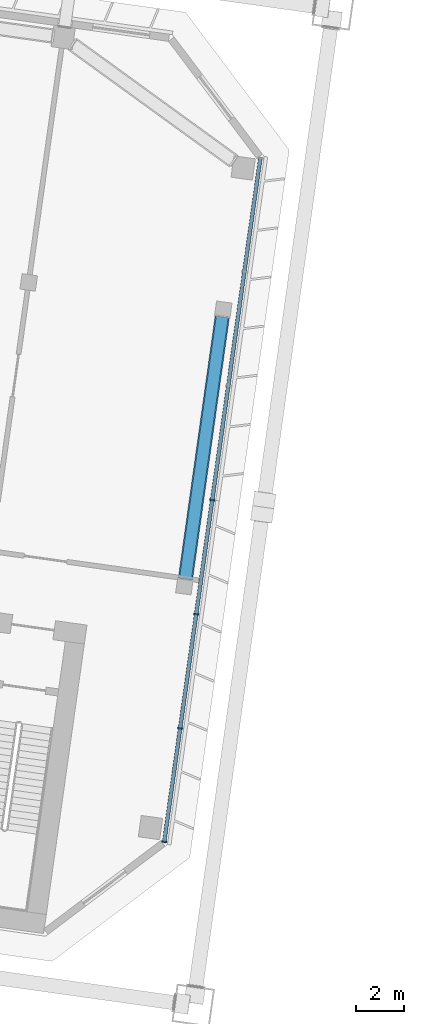
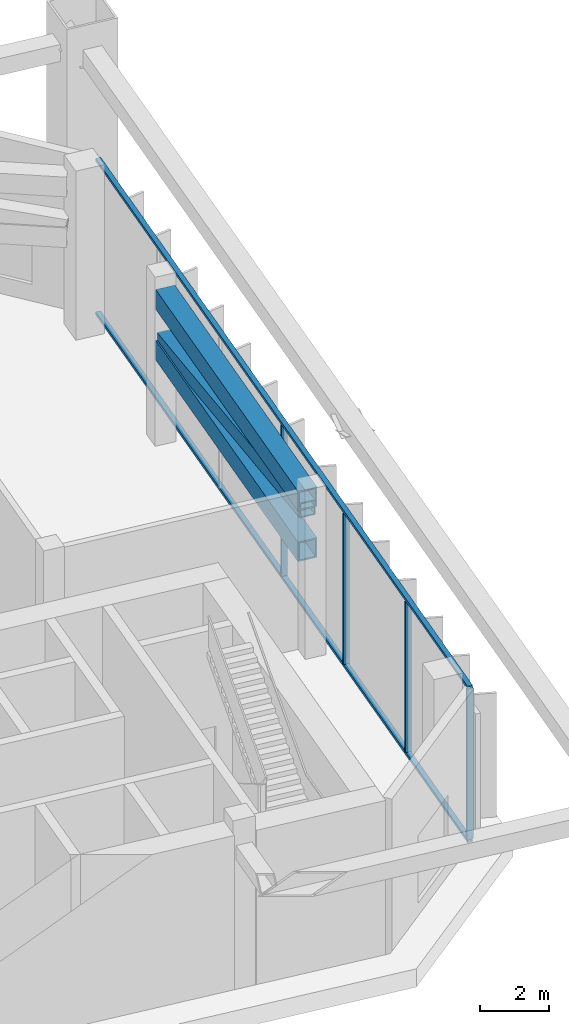
# One storey, part 7 of 41: 9 members, 1 element without a shape of its own.
"""IFC4 building model written with IfcOpenShell, lengths in metres."""

from ifc_helpers import new_model, si_unit, direction, frame, origin, origin_2d, place, context, subcontext, project, spatial, rectangle, hollow_rectangle, extrude, material, material_profile, profile_set, type_object, element, aggregate, save


model = new_model("IFC4")

# Units and contexts
model_context = context("Model", 3, precision=1e-05, world=origin(), true_north=direction((0.0, 1.0)))
body_context = subcontext(model_context, "Body", "Model", "MODEL_VIEW")
ifc_project = project(units=[si_unit("LENGTHUNIT", "METRE"), si_unit("AREAUNIT", "SQUARE_METRE"), si_unit("VOLUMEUNIT", "CUBIC_METRE"), si_unit("PLANEANGLEUNIT", "RADIAN"), si_unit("MASSUNIT", "GRAM", prefix="KILO")], contexts=[model_context])

# Site, building, storey
site_placement = place(None, origin())
site = spatial("IfcSite", under=ifc_project, at=site_placement, CompositionType="ELEMENT")
building_placement = place(site_placement, origin())
building = spatial("IfcBuilding", under=site, at=building_placement, Name="Mirante Cascada Hotel Towers", CompositionType="ELEMENT")
storey_placement = place(building_placement, frame((0.0, 0.0, 92.7)))
storey = spatial("IfcBuildingStorey", under=building, at=storey_placement, Name="L20", CompositionType="ELEMENT", Elevation=92.7)

# Members
ifc_material_1 = material(Name="Steel ASTM A572 Gr 50", Category="steel")
ifc_material_profile_1 = material_profile(ifc_material_1, hollow_rectangle(XDim=0.6, YDim=0.7, WallThickness=0.05, at=origin_2d()), Name="Box chord 700x600x50 ASTM A572 Gr 50")
ifc_profile_set_1 = profile_set([ifc_material_profile_1], Name="Steel ASTM A572 Gr 50")
member_type_1 = type_object("IfcMemberType", Name="Box chord 700x600x50 ASTM A572 Gr 50", PredefinedType="CHORD", material=ifc_profile_set_1)
for number, where, z_axis, x_axis, name in (
    (1, (-31.2682, -5.2754, 5.2), (0.1391752, 0.9902678, 0.0), (-0.9902678, 0.1391752, 0.0), "belt T1 L20 34"),
    (2, (-31.2682, -5.2754, 3.4), (0.1391752, 0.9902678, 0.0), (-0.9902678, 0.1391752, 0.0), "belt T1 L20 35"),
):
    element("IfcMember", number, at=place(storey_placement, frame(where, z_axis=z_axis, x_axis=x_axis)), inside=storey, type_object=member_type_1, Name=name, PredefinedType="CHORD", context=body_context, shape_type="SweptSolid", body=[
        extrude(hollow_rectangle(XDim=0.6, YDim=0.7, WallThickness=0.05, at=origin_2d()), origin(), (0.0, 0.0, 1.0), 11.04),
    ])
ifc_material_2 = material(Name="Steel ASTM A572 Gr 50", Category="steel")
ifc_material_profile_2 = material_profile(ifc_material_2, hollow_rectangle(XDim=0.5, YDim=0.5, WallThickness=0.035, at=origin_2d()), Name="Box diagonal 500x500x35 ASTM A572 Gr 50")
ifc_profile_set_2 = profile_set([ifc_material_profile_2], Name="Steel ASTM A572 Gr 50")
member_type_2 = type_object("IfcMemberType", Name="Box diagonal 500x500x35 ASTM A572 Gr 50", PredefinedType="BRACE", material=ifc_profile_set_2)
member_1_placement = place(storey_placement, frame((-31.2682, -5.2754, 4.85), z_axis=(0.1384894, 0.9853886, -0.0991464), x_axis=(-0.9902678, 0.1391752, 0.0)))
element("IfcMember", 3, at=member_1_placement, inside=storey, type_object=member_type_2, Name="belt T1 L20 36", PredefinedType="BRACE", context=body_context, shape_type="SweptSolid", body=[
    extrude(hollow_rectangle(XDim=0.5, YDim=0.5, WallThickness=0.035, at=origin_2d()), origin(), (0.0, 0.0, 1.0), 11.0947),
])

# Curtain wall, members
ifc_material_3 = material(Name="Aluminium mullion and transom frame with clear laminated glass", Category="aluminium")
curtain_wall_type = type_object("IfcCurtainWallType", Name="End ribbon curtain wall ECW2", PredefinedType="NOTDEFINED", material=ifc_material_3)
curtain_wall_placement = place(storey_placement, origin())
curtain_wall = element("IfcCurtainWall", 4, at=curtain_wall_placement, inside=storey, type_object=curtain_wall_type, Name="Inner end wall T1 L20", PredefinedType="NOTDEFINED")
ifc_material_4 = material(Name="Anodised aluminium extrusion", Category="aluminium")
ifc_material_profile_3 = material_profile(ifc_material_4, rectangle(XDim=0.2, YDim=0.065, at=origin_2d()), Name="ECW2 MULLION 65x200")
ifc_profile_set_3 = profile_set([ifc_material_profile_3], Name="Anodised aluminium extrusion")
member_type_3 = type_object("IfcMemberType", Name="ECW2 mullion 65x200", PredefinedType="MULLION", material=ifc_profile_set_3)
member_2_placement = place(storey_placement, frame((-30.1485, -1.9791, 0.1), z_axis=(0.0, 0.0, 1.0), x_axis=(0.9902681, -0.1391731, 0.0)))
member_2 = element("IfcMember", 5, at=member_2_placement, type_object=member_type_3, Name="ECW2 mullion 4", PredefinedType="MULLION", context=body_context, shape_type="SweptSolid", body=[
    extrude(rectangle(XDim=0.2, YDim=0.065, at=origin_2d()), origin(), (0.0, 0.0, 1.0), 5.35),
])
member_3_placement = place(storey_placement, frame((-30.8183, -6.7449, 0.1), z_axis=(0.0, 0.0, 1.0), x_axis=(0.9902681, -0.1391731, 0.0)))
member_3 = element("IfcMember", 6, at=member_3_placement, type_object=member_type_3, Name="ECW2 mullion 5", PredefinedType="MULLION", context=body_context, shape_type="SweptSolid", body=[
    extrude(rectangle(XDim=0.2, YDim=0.065, at=origin_2d()), origin(), (0.0, 0.0, 1.0), 5.35),
])
member_4_placement = place(storey_placement, frame((-31.4881, -11.5107, 0.1), z_axis=(0.0, 0.0, 1.0), x_axis=(0.9902681, -0.1391731, 0.0)))
member_4 = element("IfcMember", 7, at=member_4_placement, type_object=member_type_3, Name="ECW2 mullion 6", PredefinedType="MULLION", context=body_context, shape_type="SweptSolid", body=[
    extrude(rectangle(XDim=0.2, YDim=0.065, at=origin_2d()), origin(), (0.0, 0.0, 1.0), 5.35),
])
member_5_placement = place(storey_placement, frame((-32.1534, -16.2443, 0.1), z_axis=(0.0, 0.0, 1.0), x_axis=(0.9902681, -0.1391731, 0.0)))
member_5 = element("IfcMember", 8, at=member_5_placement, type_object=member_type_3, Name="ECW2 mullion 7", PredefinedType="MULLION", context=body_context, shape_type="SweptSolid", body=[
    extrude(rectangle(XDim=0.2, YDim=0.065, at=origin_2d()), origin(), (0.0, 0.0, 1.0), 5.35),
])
ifc_material_5 = material(Name="Anodised aluminium extrusion", Category="aluminium")
ifc_material_profile_4 = material_profile(ifc_material_5, rectangle(XDim=0.16, YDim=0.1, at=origin_2d()), Name="ECW2 TRANSOM 100x160")
ifc_profile_set_4 = profile_set([ifc_material_profile_4], Name="Anodised aluminium extrusion")
member_type_4 = type_object("IfcMemberType", Name="ECW2 transom 100x160", PredefinedType="USERDEFINED", material=ifc_profile_set_4)
member_6_placement = place(storey_placement, frame((-28.1392, 12.3182, 0.05), z_axis=(-0.1391723, -0.9902682, 0.0), x_axis=(0.9902682, -0.1391723, 0.0)))
member_6 = element("IfcMember", 9, at=member_6_placement, type_object=member_type_4, Name="ECW2 sill transom", ObjectType="TRANSOM", PredefinedType="USERDEFINED", context=body_context, shape_type="SweptSolid", body=[
    extrude(rectangle(XDim=0.16, YDim=0.1, at=origin_2d()), origin(), (0.0, 0.0, 1.0), 28.8757),
])
member_7_placement = place(storey_placement, frame((-28.1392, 12.3182, 5.5), z_axis=(-0.1391723, -0.9902682, 0.0), x_axis=(0.9902682, -0.1391723, 0.0)))
member_7 = element("IfcMember", 10, at=member_7_placement, type_object=member_type_4, Name="ECW2 head transom", ObjectType="TRANSOM", PredefinedType="USERDEFINED", context=body_context, shape_type="SweptSolid", body=[
    extrude(rectangle(XDim=0.16, YDim=0.1, at=origin_2d()), origin(), (0.0, 0.0, 1.0), 28.8757),
])
aggregate(curtain_wall, [member_6, member_7, member_2, member_3, member_4, member_5])

save(model, "model.ifc")
